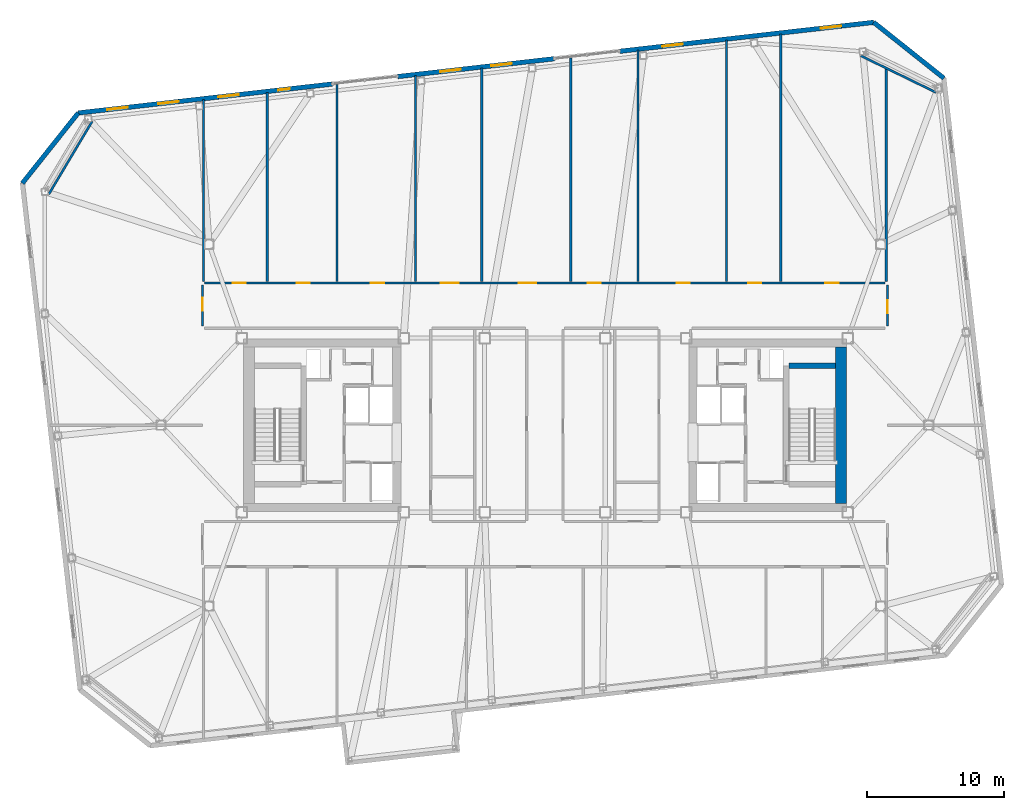
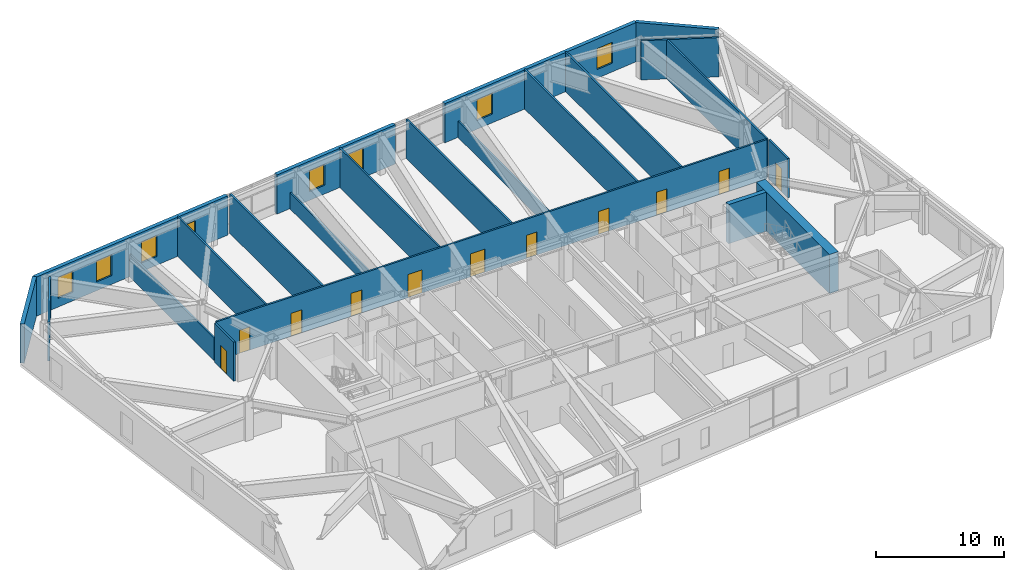
# One storey, part 14 of 18: 22 walls, 11 doors, 8 windows, 19 openings.
"""IFC4 building model written with IfcOpenShell, lengths in metres."""

import ifcopenshell
import ifcopenshell.guid

model = None  # the IFC model being written
_history = None  # IfcOwnerHistory: only IFC2X3 demands one
_inside = {}  # id of a spatial element -> (the spatial element, [elements in it])
_under = {}  # id of a project, library or spatial element -> (it, [spatial elements below it])
_declared = {}  # id of a project -> (the project, [libraries it declares])
_typed = {}  # id of a type object -> (the type object, [elements of that type])
_made_of = {}  # id of a material, layer set ... -> (it, [elements and type objects made of it])


def new_model(schema):
    """Start an empty IFC model of exactly this schema.

    Asked for "IFC4X3", IfcOpenShell would pick the latest addendum, in which some entities
    have other attributes; the version numbers below select the first issue.
    IFC2X3 requires an IfcOwnerHistory on every rooted entity: one is made here for all.
    """
    global model, _history
    if schema == "IFC4X3":
        model = ifcopenshell.file(schema_version=(4, 3, 0, 0))
    else:
        model = ifcopenshell.file(schema=schema)
    _inside.clear()
    _under.clear()
    _declared.clear()
    _typed.clear()
    _made_of.clear()
    _history = None
    if model.schema == "IFC2X3":
        org = make("IfcOrganization", Name="unknown")
        user = make(
            "IfcPersonAndOrganization",
            ThePerson=make("IfcPerson", FamilyName="unknown"),
            TheOrganization=org,
        )
        app = make(
            "IfcApplication",
            ApplicationDeveloper=org,
            Version="unknown",
            ApplicationFullName="unknown",
            ApplicationIdentifier="unknown",
        )
        _history = make(
            "IfcOwnerHistory",
            OwningUser=user,
            OwningApplication=app,
            ChangeAction="ADDED",
            CreationDate=0,
        )
    return model


def make(cls, **values):
    """One entity of the class cls with the attributes given. An attribute that is None is left unset."""
    return model.create_entity(
        cls, **{name: value for name, value in values.items() if value is not None}
    )


def rooted(cls, **values):
    """An entity with a GlobalId (a new one), such as an element, a storey or a relation."""
    return make(cls, GlobalId=ifcopenshell.guid.new(), OwnerHistory=_history, **values)


def si_unit(unit_type, name, prefix=None):
    """IfcSIUnit, for example si_unit("LENGTHUNIT", "METRE", prefix="MILLI")."""
    return make("IfcSIUnit", UnitType=unit_type, Prefix=prefix, Name=name)


def assignment(units):
    """IfcUnitAssignment: the units of a project."""
    return None if units is None else make("IfcUnitAssignment", Units=units)


def point(xyz):
    """IfcCartesianPoint."""
    return None if xyz is None else make("IfcCartesianPoint", Coordinates=xyz)


def direction(xyz):
    """IfcDirection."""
    return None if xyz is None else make("IfcDirection", DirectionRatios=xyz)


def frame(location, z_axis=None, x_axis=None):
    """IfcAxis2Placement3D, a coordinate frame: its origin and axes. An axis left out is left unset."""
    return make(
        "IfcAxis2Placement3D",
        Location=point(location),
        Axis=direction(z_axis),
        RefDirection=direction(x_axis),
    )


def frame_2d(location, x_axis=None):
    """IfcAxis2Placement2D, a coordinate frame in the plane: its origin and x axis."""
    return make(
        "IfcAxis2Placement2D", Location=point(location), RefDirection=direction(x_axis)
    )


def origin():
    """The frame at (0, 0, 0) with its axes left unset."""
    return frame((0.0, 0.0, 0.0))


def place(relative_to, where):
    """IfcLocalPlacement: puts the frame where relative to a parent placement (None: the world)."""
    return make(
        "IfcLocalPlacement", PlacementRelTo=relative_to, RelativePlacement=where
    )


def context(
    kind, dimensions, precision=None, world=None, true_north=None, identifier=None
):
    """IfcGeometricRepresentationContext, for example the 3D "Model" context."""
    return make(
        "IfcGeometricRepresentationContext",
        ContextIdentifier=identifier,
        ContextType=kind,
        CoordinateSpaceDimension=dimensions,
        Precision=precision,
        WorldCoordinateSystem=world,
        TrueNorth=true_north,
    )


def subcontext(parent, identifier, kind, view, scale=None):
    """IfcGeometricRepresentationSubContext, for example "Body" below "Model"."""
    return make(
        "IfcGeometricRepresentationSubContext",
        ContextIdentifier=identifier,
        ContextType=kind,
        ParentContext=parent,
        TargetScale=scale,
        TargetView=view,
    )


def project(units=None, contexts=None):
    """IfcProject with its units and contexts."""
    return rooted(
        "IfcProject",
        Name="project",
        RepresentationContexts=contexts,
        UnitsInContext=assignment(units),
    )


def spatial(cls, under=None, at=None, **own):
    """A site, building, storey or space (cls), placed at a placement, below another one or the project."""
    s = rooted(cls, ObjectPlacement=at, **own)
    if under is not None:
        _under.setdefault(under.id(), (under, []))[1].append(s)
    return s


def profile(cls, at=None, kind="AREA", **sizes):
    """A parametric profile (cls). Its sizes go by their IFC names, for example OverallWidth=200.0."""
    return make(cls, ProfileType=kind, Position=at, **sizes)


def rectangle(**sizes):
    """IfcRectangleProfileDef."""
    return profile("IfcRectangleProfileDef", **sizes)


def extrude(swept, where, along, depth):
    """IfcExtrudedAreaSolid: the profile swept, set in the frame where, extruded along a direction by depth."""
    return make(
        "IfcExtrudedAreaSolid",
        SweptArea=swept,
        Position=where,
        ExtrudedDirection=direction(along),
        Depth=depth,
    )


def shape(context_of_items, identifier, shape_type, items):
    """IfcShapeRepresentation: the items that make up one representation, for example the "Body"."""
    return make(
        "IfcShapeRepresentation",
        ContextOfItems=context_of_items,
        RepresentationIdentifier=identifier,
        RepresentationType=shape_type,
        Items=items,
    )


def material(Name=None, Category=None):
    """IfcMaterial."""
    return make("IfcMaterial", Name=Name, Category=Category)


def layer(
    of_material, thickness, ventilated=None, Name=None, Category=None, Priority=None
):
    """IfcMaterialLayer: one layer of a wall or slab, of a material (None: an air gap)."""
    return make(
        "IfcMaterialLayer",
        Material=of_material,
        LayerThickness=thickness,
        IsVentilated=ventilated,
        Name=Name,
        Category=Category,
        Priority=Priority,
    )


def layer_set(layers, Name=None):
    """IfcMaterialLayerSet."""
    return make("IfcMaterialLayerSet", MaterialLayers=layers, LayerSetName=Name)


def made_of(thing, what):
    """Note that an element or type object is made of a material, layer set ...; save() writes the relation."""
    if what is not None:
        _made_of.setdefault(what.id(), (what, []))[1].append(thing)
    return thing


def type_object(cls, material=None, **own):
    """A type object (cls), such as IfcWallType, which elements share."""
    return made_of(rooted(cls, **own), material)


def element(
    cls,
    number,
    at=None,
    inside=None,
    cuts=None,
    type_object=None,
    material=None,
    context=None,
    identifier="Body",
    shape_type=None,
    held_by="IfcProductDefinitionShape",
    body=None,
    shapes=None,
    **own,
):
    """One element of the class cls, such as IfcWall. Its Tag is "e" and its number.

    at: its placement. inside: the storey or other place that contains it. cuts: it is an
    opening in that element (IfcRelVoidsElement). A single representation is given by context,
    identifier, shape_type and body (its items); several are given by shapes. held_by: the class
    of the entity that holds the representations. save() writes the other relations.
    """
    e = rooted(cls, Tag="e%d" % number, ObjectPlacement=at, **own)
    if body is not None:
        shapes = [shape(context, identifier, shape_type, body)]
    if shapes is not None:
        e.Representation = make(held_by, Representations=shapes)
    if inside is not None:
        _inside.setdefault(inside.id(), (inside, []))[1].append(e)
    if cuts is not None:
        rooted(
            "IfcRelVoidsElement", RelatingBuildingElement=cuts, RelatedOpeningElement=e
        )
    if type_object is not None:
        _typed.setdefault(type_object.id(), (type_object, []))[1].append(e)
    return made_of(e, material)


def fill(opening, filler):
    """IfcRelFillsElement: the door or window that sits in an opening."""
    return rooted(
        "IfcRelFillsElement",
        RelatingOpeningElement=opening,
        RelatedBuildingElement=filler,
    )


def aggregate(whole, parts):
    """IfcRelAggregates: a whole, such as a stair, and the parts it consists of."""
    return rooted("IfcRelAggregates", RelatingObject=whole, RelatedObjects=parts)


def save(model, path):
    """Write the relations noted so far, then the file.

    IfcRelAggregates (storeys below a building ...), IfcRelContainedInSpatialStructure (elements
    in a storey), IfcRelDefinesByType, IfcRelAssociatesMaterial and IfcRelDeclares: one each for
    every whole, place, type object, material and project.
    """
    for whole, parts in _under.values():
        aggregate(whole, parts)
    for where, things in _inside.values():
        rooted(
            "IfcRelContainedInSpatialStructure",
            RelatedElements=things,
            RelatingStructure=where,
        )
    for kind, things in _typed.values():
        rooted("IfcRelDefinesByType", RelatedObjects=things, RelatingType=kind)
    for what, things in _made_of.values():
        rooted("IfcRelAssociatesMaterial", RelatedObjects=things, RelatingMaterial=what)
    for by, libraries in _declared.values():
        rooted("IfcRelDeclares", RelatingContext=by, RelatedDefinitions=libraries)
    model.write(path)


model = new_model("IFC4")

# Units and contexts
model_context = context("Model", 3, precision=1e-05, world=origin(), true_north=direction((0.0, 1.0)))
body_context = subcontext(model_context, "Body", "Model", "MODEL_VIEW")
ifc_project = project(units=[si_unit("LENGTHUNIT", "METRE"), si_unit("AREAUNIT", "SQUARE_METRE"), si_unit("VOLUMEUNIT", "CUBIC_METRE"), si_unit("PLANEANGLEUNIT", "RADIAN"), si_unit("MASSUNIT", "GRAM", prefix="KILO")], contexts=[model_context])

# Site, building, storey
site_placement = place(None, origin())
site = spatial("IfcSite", under=ifc_project, at=site_placement, CompositionType="ELEMENT")
building_placement = place(site_placement, origin())
building = spatial("IfcBuilding", under=site, at=building_placement, Name="Tavrogorsk Clinical Tower", CompositionType="ELEMENT")
storey_placement = place(building_placement, frame((0.0, 0.0, 222.199951171875)))
storey = spatial("IfcBuildingStorey", under=building, at=storey_placement, Name="L51", CompositionType="ELEMENT", Elevation=222.199951171875)

# Walls
ifc_material_1 = material(Name="Lightweight concrete blockwork B15", Category="masonry")
ifc_layer_1 = layer(ifc_material_1, 0.159912109375)
ifc_layer_set_1 = layer_set([ifc_layer_1], Name="Lightweight concrete blockwork B15")
wall_type_1 = type_object("IfcWallType", Name="PartitionWall_160", PredefinedType="PARTITIONING", material=ifc_layer_set_1)
wall_1_placement = place(storey_placement, frame((28.5283203125, 24.27099609375, 0.0), z_axis=(0.0, 0.0, 1.0), x_axis=(-0.898820692789, 0.438316509173, 0.0)))
element("IfcWall", 1, at=wall_1_placement, inside=storey, type_object=wall_type_1, Name="L51 Corner Exoskeleton Brace Furring Wall 2", PredefinedType="PARTITIONING", context=body_context, shape_type="SweptSolid", body=[
    extrude(rectangle(XDim=6.10693359375, YDim=0.159912109375, at=frame_2d((3.053466796875, 0.0))), origin(), (0.0, 0.0, 1.0), 3.739990234375),
])
wall_2_placement = place(storey_placement, frame((-33.016357421875, 22.17138671875, 0.0), z_axis=(0.0, 0.0, 1.0), x_axis=(-0.511385266265, -0.859351563359, 0.0)))
element("IfcWall", 2, at=wall_2_placement, inside=storey, type_object=wall_type_1, Name="L51 Corner Exoskeleton Brace Furring Wall 3", PredefinedType="PARTITIONING", context=body_context, shape_type="SweptSolid", body=[
    extrude(rectangle(XDim=6.181884765625, YDim=0.159912109375, at=frame_2d((3.0908203125, 0.0))), origin(), (0.0, 0.0, 1.0), 3.739990234375),
])

# Wall, opening, door
wall_3_placement = place(storey_placement, frame((-24.97998046875, 7.235107421875, 0.0), z_axis=(0.0, 0.0, 1.0), x_axis=(0.0, 1.0, 0.0)))
wall_3 = element("IfcWall", 3, at=wall_3_placement, inside=storey, type_object=wall_type_1, Name="L51 Corridor Partition 06", PredefinedType="PARTITIONING", context=body_context, shape_type="SweptSolid", body=[
    extrude(rectangle(XDim=2.97998046875, YDim=0.159912109375, at=frame_2d((1.489990234375, 0.0))), origin(), (0.0, 0.0, 1.0), 3.739990234375),
])
opening_1_placement = place(wall_3_placement, frame((1.10009765625, 0.0, 0.0)))
opening_1 = element("IfcOpeningElement", 4, at=opening_1_placement, cuts=wall_3, Name="Opening ID-02", PredefinedType="OPENING", context=body_context, shape_type="SweptSolid", body=[
    extrude(rectangle(XDim=0.949951171875, YDim=2.199951171875, at=frame_2d((0.47509765625, 1.10009765625))), frame((0.0, 0.08984375, 0.0), z_axis=(0.0, -1.0, 0.0), x_axis=(1.0, 0.0, 0.0)), (0.0, 0.0, 1.0), 0.179931640625),
])
ifc_material_2 = material(Name="Laminated timber leaf on aluminium frame", Category="wood")
door_type_1 = type_object("IfcDoorType", Name="InteriorDoor_ID02_950", OperationType="NOTDEFINED", PredefinedType="DOOR", material=ifc_material_2)
door_1_placement = place(opening_1_placement, origin())
door_1 = element("IfcDoor", 5, at=door_1_placement, inside=storey, type_object=door_type_1, Name="L51 W Rehabilitation Therapy Suite 2 Door", OperationType="SINGLE_SWING_RIGHT", OverallHeight=2.199951171875, OverallWidth=0.949951171875, PredefinedType="DOOR", context=body_context, shape_type="SweptSolid", body=[
    extrude(rectangle(XDim=0.949951171875, YDim=2.199951171875, at=frame_2d((0.47509765625, 1.10009765625))), frame((0.0, 0.02490234375, 0.0), z_axis=(0.0, -1.0, 0.0), x_axis=(1.0, 0.0, 0.0)), (0.0, 0.0, 1.0), 0.050048828125),
])
fill(opening_1, door_1)

# Wall, openings, doors
wall_4_placement = place(storey_placement, frame((-24.81494140625, 10.3798828125, 0.0), z_axis=(0.0, 0.0, 1.0), x_axis=(1.0, 0.0, 0.0)))
wall_4 = element("IfcWall", 6, at=wall_4_placement, inside=storey, type_object=wall_type_1, Name="L51 Corridor Partition 07", PredefinedType="PARTITIONING", context=body_context, shape_type="SweptSolid", body=[
    extrude(rectangle(XDim=49.6298828125, YDim=0.159912109375, at=frame_2d((24.81494140625, 0.0))), origin(), (0.0, 0.0, 1.0), 3.739990234375),
])
opening_2_placement = place(wall_4_placement, frame((2.044189453125, 0.0, 0.0)))
opening_2 = element("IfcOpeningElement", 7, at=opening_2_placement, cuts=wall_4, Name="Opening ID-02", PredefinedType="OPENING", context=body_context, shape_type="SweptSolid", body=[
    extrude(rectangle(XDim=0.949951171875, YDim=2.199951171875, at=frame_2d((0.47509765625, 1.10009765625))), frame((0.0, 0.08984375, 0.0), z_axis=(0.0, -1.0, 0.0), x_axis=(1.0, 0.0, 0.0)), (0.0, 0.0, 1.0), 0.179931640625),
])
opening_3_placement = place(wall_4_placement, frame((6.719970703125, 0.0, 0.0)))
opening_3 = element("IfcOpeningElement", 8, at=opening_3_placement, cuts=wall_4, Name="Opening ID-02", PredefinedType="OPENING", context=body_context, shape_type="SweptSolid", body=[
    extrude(rectangle(XDim=0.949951171875, YDim=2.199951171875, at=frame_2d((0.47509765625, 1.10009765625))), frame((0.0, 0.08984375, 0.0), z_axis=(0.0, -1.0, 0.0), x_axis=(1.0, 0.0, 0.0)), (0.0, 0.0, 1.0), 0.179931640625),
])
opening_4_placement = place(wall_4_placement, frame((12.1298828125, 0.0, 0.0)))
opening_4 = element("IfcOpeningElement", 9, at=opening_4_placement, cuts=wall_4, Name="Opening ID-02", PredefinedType="OPENING", context=body_context, shape_type="SweptSolid", body=[
    extrude(rectangle(XDim=0.949951171875, YDim=2.199951171875, at=frame_2d((0.47509765625, 1.10009765625))), frame((0.0, 0.08984375, 0.0), z_axis=(0.0, -1.0, 0.0), x_axis=(1.0, 0.0, 0.0)), (0.0, 0.0, 1.0), 0.179931640625),
])
opening_5_placement = place(wall_4_placement, frame((17.235107421875, 0.0, 0.0)))
opening_5 = element("IfcOpeningElement", 10, at=opening_5_placement, cuts=wall_4, Name="Opening ID-01", PredefinedType="OPENING", context=body_context, shape_type="SweptSolid", body=[
    extrude(rectangle(XDim=1.300048828125, YDim=2.199951171875, at=frame_2d((0.64990234375, 1.10009765625))), frame((0.0, 0.08984375, 0.0), z_axis=(0.0, -1.0, 0.0), x_axis=(1.0, 0.0, 0.0)), (0.0, 0.0, 1.0), 0.179931640625),
])
opening_6_placement = place(wall_4_placement, frame((22.889892578125, 0.0, 0.0)))
opening_6 = element("IfcOpeningElement", 11, at=opening_6_placement, cuts=wall_4, Name="Opening ID-01", PredefinedType="OPENING", context=body_context, shape_type="SweptSolid", body=[
    extrude(rectangle(XDim=1.300048828125, YDim=2.199951171875, at=frame_2d((0.64990234375, 1.10009765625))), frame((0.0, 0.08984375, 0.0), z_axis=(0.0, -1.0, 0.0), x_axis=(1.0, 0.0, 0.0)), (0.0, 0.0, 1.0), 0.179931640625),
])
opening_7_placement = place(wall_4_placement, frame((27.925048828125, 0.0, 0.0)))
opening_7 = element("IfcOpeningElement", 12, at=opening_7_placement, cuts=wall_4, Name="Opening ID-02", PredefinedType="OPENING", context=body_context, shape_type="SweptSolid", body=[
    extrude(rectangle(XDim=0.949951171875, YDim=2.199951171875, at=frame_2d((0.47509765625, 1.10009765625))), frame((0.0, 0.08984375, 0.0), z_axis=(0.0, -1.0, 0.0), x_axis=(1.0, 0.0, 0.0)), (0.0, 0.0, 1.0), 0.179931640625),
])
opening_8_placement = place(wall_4_placement, frame((34.445068359375, 0.0, 0.0)))
opening_8 = element("IfcOpeningElement", 13, at=opening_8_placement, cuts=wall_4, Name="Opening ID-02", PredefinedType="OPENING", context=body_context, shape_type="SweptSolid", body=[
    extrude(rectangle(XDim=0.949951171875, YDim=2.199951171875, at=frame_2d((0.47509765625, 1.10009765625))), frame((0.0, 0.08984375, 0.0), z_axis=(0.0, -1.0, 0.0), x_axis=(1.0, 0.0, 0.0)), (0.0, 0.0, 1.0), 0.179931640625),
])
opening_9_placement = place(wall_4_placement, frame((39.64501953125, 0.0, 0.0)))
opening_9 = element("IfcOpeningElement", 14, at=opening_9_placement, cuts=wall_4, Name="Opening ID-02", PredefinedType="OPENING", context=body_context, shape_type="SweptSolid", body=[
    extrude(rectangle(XDim=0.949951171875, YDim=2.199951171875, at=frame_2d((0.47509765625, 1.10009765625))), frame((0.0, 0.08984375, 0.0), z_axis=(0.0, -1.0, 0.0), x_axis=(1.0, 0.0, 0.0)), (0.0, 0.0, 1.0), 0.179931640625),
])
opening_10_placement = place(wall_4_placement, frame((45.281005859375, 0.0, 0.0)))
opening_10 = element("IfcOpeningElement", 15, at=opening_10_placement, cuts=wall_4, Name="Opening ID-02", PredefinedType="OPENING", context=body_context, shape_type="SweptSolid", body=[
    extrude(rectangle(XDim=0.949951171875, YDim=2.199951171875, at=frame_2d((0.47509765625, 1.10009765625))), frame((0.0, 0.08984375, 0.0), z_axis=(0.0, -1.0, 0.0), x_axis=(1.0, 0.0, 0.0)), (0.0, 0.0, 1.0), 0.179931640625),
])
door_2_placement = place(opening_2_placement, origin())
door_2 = element("IfcDoor", 16, at=door_2_placement, inside=storey, type_object=door_type_1, Name="L51 North Clinical Examination Suite 01 Door", OperationType="SINGLE_SWING_LEFT", OverallHeight=2.199951171875, OverallWidth=0.949951171875, PredefinedType="DOOR", context=body_context, shape_type="SweptSolid", body=[
    extrude(rectangle(XDim=0.949951171875, YDim=2.199951171875, at=frame_2d((0.47509765625, 1.10009765625))), frame((0.0, 0.02490234375, 0.0), z_axis=(0.0, -1.0, 0.0), x_axis=(1.0, 0.0, 0.0)), (0.0, 0.0, 1.0), 0.050048828125),
])
fill(opening_2, door_2)
door_3_placement = place(opening_3_placement, origin())
door_3 = element("IfcDoor", 17, at=door_3_placement, inside=storey, type_object=door_type_1, Name="L51 North Diagnostic Ultrasound Suite 02 Door", OperationType="SINGLE_SWING_RIGHT", OverallHeight=2.199951171875, OverallWidth=0.949951171875, PredefinedType="DOOR", context=body_context, shape_type="SweptSolid", body=[
    extrude(rectangle(XDim=0.949951171875, YDim=2.199951171875, at=frame_2d((0.47509765625, 1.10009765625))), frame((0.0, 0.02490234375, 0.0), z_axis=(0.0, -1.0, 0.0), x_axis=(1.0, 0.0, 0.0)), (0.0, 0.0, 1.0), 0.050048828125),
])
fill(opening_3, door_3)
door_4_placement = place(opening_4_placement, origin())
door_4 = element("IfcDoor", 18, at=door_4_placement, inside=storey, type_object=door_type_1, Name="L51 North Physiotherapy Rehab Studio 03A Door", OperationType="SINGLE_SWING_LEFT", OverallHeight=2.199951171875, OverallWidth=0.949951171875, PredefinedType="DOOR", context=body_context, shape_type="SweptSolid", body=[
    extrude(rectangle(XDim=0.949951171875, YDim=2.199951171875, at=frame_2d((0.47509765625, 1.10009765625))), frame((0.0, 0.02490234375, 0.0), z_axis=(0.0, -1.0, 0.0), x_axis=(1.0, 0.0, 0.0)), (0.0, 0.0, 1.0), 0.050048828125),
])
fill(opening_4, door_4)
door_5_placement = place(opening_7_placement, origin())
door_5 = element("IfcDoor", 19, at=door_5_placement, inside=storey, type_object=door_type_1, Name="L51 North Clinical Examination Suite 04B Door", OperationType="SINGLE_SWING_RIGHT", OverallHeight=2.199951171875, OverallWidth=0.949951171875, PredefinedType="DOOR", context=body_context, shape_type="SweptSolid", body=[
    extrude(rectangle(XDim=0.949951171875, YDim=2.199951171875, at=frame_2d((0.47509765625, 1.10009765625))), frame((0.0, 0.02490234375, 0.0), z_axis=(0.0, -1.0, 0.0), x_axis=(1.0, 0.0, 0.0)), (0.0, 0.0, 1.0), 0.050048828125),
])
fill(opening_7, door_5)
door_6_placement = place(opening_8_placement, origin())
door_6 = element("IfcDoor", 20, at=door_6_placement, inside=storey, type_object=door_type_1, Name="L51 North Physician Consultation Office 05A Door", OperationType="SINGLE_SWING_LEFT", OverallHeight=2.199951171875, OverallWidth=0.949951171875, PredefinedType="DOOR", context=body_context, shape_type="SweptSolid", body=[
    extrude(rectangle(XDim=0.949951171875, YDim=2.199951171875, at=frame_2d((0.47509765625, 1.10009765625))), frame((0.0, 0.02490234375, 0.0), z_axis=(0.0, -1.0, 0.0), x_axis=(1.0, 0.0, 0.0)), (0.0, 0.0, 1.0), 0.050048828125),
])
fill(opening_8, door_6)
door_7_placement = place(opening_9_placement, origin())
door_7 = element("IfcDoor", 21, at=door_7_placement, inside=storey, type_object=door_type_1, Name="L51 North Diagnostic Ultrasound Suite 05B Door", OperationType="SINGLE_SWING_RIGHT", OverallHeight=2.199951171875, OverallWidth=0.949951171875, PredefinedType="DOOR", context=body_context, shape_type="SweptSolid", body=[
    extrude(rectangle(XDim=0.949951171875, YDim=2.199951171875, at=frame_2d((0.47509765625, 1.10009765625))), frame((0.0, 0.02490234375, 0.0), z_axis=(0.0, -1.0, 0.0), x_axis=(1.0, 0.0, 0.0)), (0.0, 0.0, 1.0), 0.050048828125),
])
fill(opening_9, door_7)
door_8_placement = place(opening_10_placement, origin())
door_8 = element("IfcDoor", 22, at=door_8_placement, inside=storey, type_object=door_type_1, Name="L51 North Patient & Family Quiet Lounge 06 Door", OperationType="SINGLE_SWING_LEFT", OverallHeight=2.199951171875, OverallWidth=0.949951171875, PredefinedType="DOOR", context=body_context, shape_type="SweptSolid", body=[
    extrude(rectangle(XDim=0.949951171875, YDim=2.199951171875, at=frame_2d((0.47509765625, 1.10009765625))), frame((0.0, 0.02490234375, 0.0), z_axis=(0.0, -1.0, 0.0), x_axis=(1.0, 0.0, 0.0)), (0.0, 0.0, 1.0), 0.050048828125),
])
fill(opening_10, door_8)
ifc_material_3 = material(Name="Antibacterial HPL medical leaf on aluminium frame", Category="aluminium")
door_type_2 = type_object("IfcDoorType", Name="WardBedDoor_ID01_1300", OperationType="NOTDEFINED", PredefinedType="DOOR", material=ifc_material_3)
door_9_placement = place(opening_5_placement, origin())
door_9 = element("IfcDoor", 23, at=door_9_placement, inside=storey, type_object=door_type_2, Name="L51 North Inpatient Clinical Ward 03B Door", OperationType="SINGLE_SWING_RIGHT", OverallHeight=2.199951171875, OverallWidth=1.300048828125, PredefinedType="DOOR", context=body_context, shape_type="SweptSolid", body=[
    extrude(rectangle(XDim=1.300048828125, YDim=2.199951171875, at=frame_2d((0.64990234375, 1.10009765625))), frame((0.0, 0.02490234375, 0.0), z_axis=(0.0, -1.0, 0.0), x_axis=(1.0, 0.0, 0.0)), (0.0, 0.0, 1.0), 0.050048828125),
])
fill(opening_5, door_9)
door_10_placement = place(opening_6_placement, origin())
door_10 = element("IfcDoor", 24, at=door_10_placement, inside=storey, type_object=door_type_2, Name="L51 North Step-Down Telemetry Ward 04A Door", OperationType="SINGLE_SWING_LEFT", OverallHeight=2.199951171875, OverallWidth=1.300048828125, PredefinedType="DOOR", context=body_context, shape_type="SweptSolid", body=[
    extrude(rectangle(XDim=1.300048828125, YDim=2.199951171875, at=frame_2d((0.64990234375, 1.10009765625))), frame((0.0, 0.02490234375, 0.0), z_axis=(0.0, -1.0, 0.0), x_axis=(1.0, 0.0, 0.0)), (0.0, 0.0, 1.0), 0.050048828125),
])
fill(opening_6, door_10)

# Wall, opening, door
wall_5_placement = place(storey_placement, frame((24.97998046875, 10.215087890625, 0.0), z_axis=(0.0, 0.0, 1.0), x_axis=(0.0, -1.0, 0.0)))
wall_5 = element("IfcWall", 25, at=wall_5_placement, inside=storey, type_object=wall_type_1, Name="L51 Corridor Partition 08", PredefinedType="PARTITIONING", context=body_context, shape_type="SweptSolid", body=[
    extrude(rectangle(XDim=2.97998046875, YDim=0.159912109375, at=frame_2d((1.489990234375, 0.0))), origin(), (0.0, 0.0, 1.0), 3.739990234375),
])
opening_11_placement = place(wall_5_placement, frame((1.10009765625, 0.0, 0.0)))
opening_11 = element("IfcOpeningElement", 26, at=opening_11_placement, cuts=wall_5, Name="Opening ID-02", PredefinedType="OPENING", context=body_context, shape_type="SweptSolid", body=[
    extrude(rectangle(XDim=0.949951171875, YDim=2.199951171875, at=frame_2d((0.47509765625, 1.10009765625))), frame((0.0, 0.08984375, 0.0), z_axis=(0.0, -1.0, 0.0), x_axis=(1.0, 0.0, 0.0)), (0.0, 0.0, 1.0), 0.179931640625),
])
door_11_placement = place(opening_11_placement, origin())
door_11 = element("IfcDoor", 27, at=door_11_placement, inside=storey, type_object=door_type_1, Name="L51 E Multidisciplinary Seminar Suite 2 Door", OperationType="SINGLE_SWING_RIGHT", OverallHeight=2.199951171875, OverallWidth=0.949951171875, PredefinedType="DOOR", context=body_context, shape_type="SweptSolid", body=[
    extrude(rectangle(XDim=0.949951171875, YDim=2.199951171875, at=frame_2d((0.47509765625, 1.10009765625))), frame((0.0, 0.02490234375, 0.0), z_axis=(0.0, -1.0, 0.0), x_axis=(1.0, 0.0, 0.0)), (0.0, 0.0, 1.0), 0.050048828125),
])
fill(opening_11, door_11)

# Walls
wall_6_placement = place(storey_placement, frame((-24.89990234375, 10.465087890625, 0.0), z_axis=(0.0, 0.0, 1.0), x_axis=(0.0, 1.0, 0.0)))
element("IfcWall", 28, at=wall_6_placement, inside=storey, type_object=wall_type_1, Name="L51 NW Wing Closure Partition", PredefinedType="PARTITIONING", context=body_context, shape_type="SweptSolid", body=[
    extrude(rectangle(XDim=13.28125, YDim=0.159912109375, at=frame_2d((6.640625, 0.0))), origin(), (0.0, 0.0, 1.0), 2.135009765625),
])
wall_7_placement = place(storey_placement, frame((24.89990234375, 10.465087890625, 0.0), z_axis=(0.0, 0.0, 1.0), x_axis=(0.0, 1.0, 0.0)))
element("IfcWall", 29, at=wall_7_placement, inside=storey, type_object=wall_type_1, Name="L51 NE Wing Closure Partition", PredefinedType="PARTITIONING", context=body_context, shape_type="SweptSolid", body=[
    extrude(rectangle(XDim=15.579345703125, YDim=0.159912109375, at=frame_2d((7.78955078125, 0.0))), origin(), (0.0, 0.0, 1.0), 3.739990234375),
])
wall_8_placement = place(storey_placement, frame((-20.25, 10.465087890625, 0.0), z_axis=(0.0, 0.0, 1.0), x_axis=(0.0, 1.0, 0.0)))
element("IfcWall", 30, at=wall_8_placement, inside=storey, type_object=wall_type_1, Name="L51 North Room Partition 1", PredefinedType="PARTITIONING", context=body_context, shape_type="SweptSolid", body=[
    extrude(rectangle(XDim=13.81103515625, YDim=0.159912109375, at=frame_2d((6.905517578125, 0.0))), origin(), (0.0, 0.0, 1.0), 3.739990234375),
])
wall_9_placement = place(storey_placement, frame((-15.159912109375, 10.465087890625, 0.0), z_axis=(0.0, 0.0, 1.0), x_axis=(0.0, 1.0, 0.0)))
element("IfcWall", 31, at=wall_9_placement, inside=storey, type_object=wall_type_1, Name="L51 North Room Partition 2", PredefinedType="PARTITIONING", context=body_context, shape_type="SweptSolid", body=[
    extrude(rectangle(XDim=14.390869140625, YDim=0.159912109375, at=frame_2d((7.1953125, 0.0))), origin(), (0.0, 0.0, 1.0), 3.739990234375),
])
wall_10_placement = place(storey_placement, frame((-4.60009765625, 10.465087890625, 0.0), z_axis=(0.0, 0.0, 1.0), x_axis=(0.0, 1.0, 0.0)))
element("IfcWall", 32, at=wall_10_placement, inside=storey, type_object=wall_type_1, Name="L51 North Room Partition 3", PredefinedType="PARTITIONING", context=body_context, shape_type="SweptSolid", body=[
    extrude(rectangle(XDim=15.593994140625, YDim=0.159912109375, at=frame_2d((7.796875, 0.0))), origin(), (0.0, 0.0, 1.0), 3.739990234375),
])
wall_11_placement = place(storey_placement, frame((6.800048828125, 10.465087890625, 0.0), z_axis=(0.0, 0.0, 1.0), x_axis=(0.0, 1.0, 0.0)))
element("IfcWall", 33, at=wall_11_placement, inside=storey, type_object=wall_type_1, Name="L51 North Room Partition 4", PredefinedType="PARTITIONING", context=body_context, shape_type="SweptSolid", body=[
    extrude(rectangle(XDim=16.892822265625, YDim=0.159912109375, at=frame_2d((8.4462890625, 0.0))), origin(), (0.0, 0.0, 1.0), 1.53515625),
])
wall_12_placement = place(storey_placement, frame((17.199951171875, 10.465087890625, 0.0), z_axis=(0.0, 0.0, 1.0), x_axis=(0.0, 1.0, 0.0)))
element("IfcWall", 34, at=wall_12_placement, inside=storey, type_object=wall_type_1, Name="L51 North Room Partition 5", PredefinedType="PARTITIONING", context=body_context, shape_type="SweptSolid", body=[
    extrude(rectangle(XDim=18.077880859375, YDim=0.159912109375, at=frame_2d((9.0390625, 0.0))), origin(), (0.0, 0.0, 1.0), 3.739990234375),
])
wall_13_placement = place(storey_placement, frame((-9.429931640625, 10.465087890625, 0.0), z_axis=(0.0, 0.0, 1.0), x_axis=(0.0, 1.0, 0.0)))
element("IfcWall", 35, at=wall_13_placement, inside=storey, type_object=wall_type_1, Name="L51 North Sub-Partition 3", PredefinedType="PARTITIONING", context=body_context, shape_type="SweptSolid", body=[
    extrude(rectangle(XDim=15.043701171875, YDim=0.159912109375, at=frame_2d((7.52197265625, 0.0))), origin(), (0.0, 0.0, 1.0), 1.53515625),
])
wall_14_placement = place(storey_placement, frame((1.8798828125, 10.465087890625, 0.0), z_axis=(0.0, 0.0, 1.0), x_axis=(0.0, 1.0, 0.0)))
element("IfcWall", 36, at=wall_14_placement, inside=storey, type_object=wall_type_1, Name="L51 North Sub-Partition 4", PredefinedType="PARTITIONING", context=body_context, shape_type="SweptSolid", body=[
    extrude(rectangle(XDim=16.33251953125, YDim=0.159912109375, at=frame_2d((8.166259765625, 0.0))), origin(), (0.0, 0.0, 1.0), 3.739990234375),
])
wall_15_placement = place(storey_placement, frame((13.239990234375, 10.465087890625, 0.0), z_axis=(0.0, 0.0, 1.0), x_axis=(0.0, 1.0, 0.0)))
element("IfcWall", 37, at=wall_15_placement, inside=storey, type_object=wall_type_1, Name="L51 North Sub-Partition 5", PredefinedType="PARTITIONING", context=body_context, shape_type="SweptSolid", body=[
    extrude(rectangle(XDim=17.626708984375, YDim=0.159912109375, at=frame_2d((8.8134765625, 0.0))), origin(), (0.0, 0.0, 1.0), 3.739990234375),
])

# Wall, openings, windows
ifc_material_4 = material(Name="Precast concrete B45 with limestone cladding", Category="masonry")
ifc_layer_2 = layer(ifc_material_4, 0.340087890625)
ifc_layer_set_2 = layer_set([ifc_layer_2], Name="Precast concrete B45 with limestone cladding")
wall_type_2 = type_object("IfcWallType", Name="PrecastLimestoneWall_340", PredefinedType="STANDARD", material=ifc_layer_set_2)
wall_16_placement = place(storey_placement, frame((23.982666015625, 29.38623046875, 0.0), z_axis=(0.0, 0.0, 1.0), x_axis=(-0.993572271362, -0.113199565282, 0.0)))
wall_16 = element("IfcWall", 38, at=wall_16_placement, inside=storey, type_object=wall_type_2, Name="L51 N Limestone Facade Wall 1", PredefinedType="STANDARD", context=body_context, shape_type="SweptSolid", body=[
    extrude(rectangle(XDim=18.6513671875, YDim=0.340087890625, at=frame_2d((9.32568359375, 0.0))), origin(), (0.0, 0.0, 1.0), 3.739990234375),
])
opening_12_placement = place(wall_16_placement, frame((14.027099609375, 0.0, 0.830078125)))
opening_12 = element("IfcOpeningElement", 39, at=opening_12_placement, cuts=wall_16, Name="Opening WN-05", PredefinedType="OPENING", context=body_context, shape_type="SweptSolid", body=[
    extrude(rectangle(XDim=1.5, YDim=2.0, at=frame_2d((0.75, 1.0))), frame((0.0, 0.179931640625, 0.0), z_axis=(0.0, -1.0, 0.0), x_axis=(1.0, 0.0, 0.0)), (0.0, 0.0, 1.0), 0.360107421875),
])
opening_13_placement = place(wall_16_placement, frame((2.385986328125, 0.0, 0.830078125)))
opening_13 = element("IfcOpeningElement", 40, at=opening_13_placement, cuts=wall_16, Name="Opening WN-05", PredefinedType="OPENING", context=body_context, shape_type="SweptSolid", body=[
    extrude(rectangle(XDim=1.5, YDim=2.0, at=frame_2d((0.75, 1.0))), frame((0.0, 0.179931640625, 0.0), z_axis=(0.0, -1.0, 0.0), x_axis=(1.0, 0.0, 0.0)), (0.0, 0.0, 1.0), 0.360107421875),
])
ifc_material_5 = material(Name="Thermally broken aluminium frame and triple IGU", Category="aluminium")
window_type_1 = type_object("IfcWindowType", Name="ConsultWin_1500x2000", PartitioningType="SINGLE_PANEL", PredefinedType="WINDOW", material=ifc_material_5)
window_1_placement = place(opening_12_placement, origin())
window_1 = element("IfcWindow", 41, at=window_1_placement, inside=storey, type_object=window_type_1, Name="L51 N Chicago Window 07", OverallHeight=2.0, OverallWidth=1.5, PartitioningType="SINGLE_PANEL", PredefinedType="WINDOW", context=body_context, shape_type="SweptSolid", body=[
    extrude(rectangle(XDim=1.5, YDim=2.0, at=frame_2d((0.75, 1.0))), frame((0.0, 0.030029296875, 0.0), z_axis=(0.0, -1.0, 0.0), x_axis=(1.0, 0.0, 0.0)), (0.0, 0.0, 1.0), 0.06005859375),
])
fill(opening_12, window_1)
window_2_placement = place(opening_13_placement, origin())
window_2 = element("IfcWindow", 42, at=window_2_placement, inside=storey, type_object=window_type_1, Name="L51 N Chicago Window 10", OverallHeight=2.0, OverallWidth=1.5, PartitioningType="SINGLE_PANEL", PredefinedType="WINDOW", context=body_context, shape_type="SweptSolid", body=[
    extrude(rectangle(XDim=1.5, YDim=2.0, at=frame_2d((0.75, 1.0))), frame((0.0, 0.030029296875, 0.0), z_axis=(0.0, -1.0, 0.0), x_axis=(1.0, 0.0, 0.0)), (0.0, 0.0, 1.0), 0.06005859375),
])
fill(opening_13, window_2)

wall_17_placement = place(storey_placement, frame((0.681884765625, 26.7314453125, 0.0), z_axis=(0.0, 0.0, 1.0), x_axis=(-0.993571968199, -0.113202226169, 0.0)))
wall_17 = element("IfcWall", 43, at=wall_17_placement, inside=storey, type_object=wall_type_2, Name="L51 N Limestone Facade Wall 2", PredefinedType="STANDARD", context=body_context, shape_type="SweptSolid", body=[
    extrude(rectangle(XDim=11.497314453125, YDim=0.340087890625, at=frame_2d((5.74853515625, 0.0))), origin(), (0.0, 0.0, 1.0), 3.739990234375),
])
opening_14_placement = place(wall_17_placement, frame((6.872802734375, 0.0, 0.830078125)))
opening_14 = element("IfcOpeningElement", 44, at=opening_14_placement, cuts=wall_17, Name="Opening WN-05", PredefinedType="OPENING", context=body_context, shape_type="SweptSolid", body=[
    extrude(rectangle(XDim=1.5, YDim=2.0, at=frame_2d((0.75, 1.0))), frame((0.0, 0.179931640625, 0.0), z_axis=(0.0, -1.0, 0.0), x_axis=(1.0, 0.0, 0.0)), (0.0, 0.0, 1.0), 0.360107421875),
])
opening_15_placement = place(wall_17_placement, frame((3.12451171875, 0.0, 0.830078125)))
opening_15 = element("IfcOpeningElement", 45, at=opening_15_placement, cuts=wall_17, Name="Opening WN-05", PredefinedType="OPENING", context=body_context, shape_type="SweptSolid", body=[
    extrude(rectangle(XDim=1.5, YDim=2.0, at=frame_2d((0.75, 1.0))), frame((0.0, 0.179931640625, 0.0), z_axis=(0.0, -1.0, 0.0), x_axis=(1.0, 0.0, 0.0)), (0.0, 0.0, 1.0), 0.360107421875),
])
window_3_placement = place(opening_14_placement, origin())
window_3 = element("IfcWindow", 46, at=window_3_placement, inside=storey, type_object=window_type_1, Name="L51 N Chicago Window 05", OverallHeight=2.0, OverallWidth=1.5, PartitioningType="SINGLE_PANEL", PredefinedType="WINDOW", context=body_context, shape_type="SweptSolid", body=[
    extrude(rectangle(XDim=1.5, YDim=2.0, at=frame_2d((0.75, 1.0))), frame((0.0, 0.030029296875, 0.0), z_axis=(0.0, -1.0, 0.0), x_axis=(1.0, 0.0, 0.0)), (0.0, 0.0, 1.0), 0.06005859375),
])
fill(opening_14, window_3)
window_4_placement = place(opening_15_placement, origin())
window_4 = element("IfcWindow", 47, at=window_4_placement, inside=storey, type_object=window_type_1, Name="L51 N Chicago Window 06", OverallHeight=2.0, OverallWidth=1.5, PartitioningType="SINGLE_PANEL", PredefinedType="WINDOW", context=body_context, shape_type="SweptSolid", body=[
    extrude(rectangle(XDim=1.5, YDim=2.0, at=frame_2d((0.75, 1.0))), frame((0.0, 0.030029296875, 0.0), z_axis=(0.0, -1.0, 0.0), x_axis=(1.0, 0.0, 0.0)), (0.0, 0.0, 1.0), 0.06005859375),
])
fill(opening_15, window_4)

wall_18_placement = place(storey_placement, frame((-15.510498046875, 24.886474609375, 0.0), z_axis=(0.0, 0.0, 1.0), x_axis=(-0.993572271362, -0.113199565282, 0.0)))
wall_18 = element("IfcWall", 48, at=wall_18_placement, inside=storey, type_object=wall_type_2, Name="L51 N Limestone Facade Wall 3", PredefinedType="STANDARD", context=body_context, shape_type="SweptSolid", body=[
    extrude(rectangle(XDim=18.6513671875, YDim=0.340087890625, at=frame_2d((9.32568359375, 0.0))), origin(), (0.0, 0.0, 1.0), 3.739990234375),
])
opening_16_placement = place(wall_18_placement, frame((15.021240234375, 0.0, 0.830078125)))
opening_16 = element("IfcOpeningElement", 49, at=opening_16_placement, cuts=wall_18, Name="Opening WN-05", PredefinedType="OPENING", context=body_context, shape_type="SweptSolid", body=[
    extrude(rectangle(XDim=1.5, YDim=2.0, at=frame_2d((0.75, 1.0))), frame((0.0, 0.179931640625, 0.0), z_axis=(0.0, -1.0, 0.0), x_axis=(1.0, 0.0, 0.0)), (0.0, 0.0, 1.0), 0.360107421875),
])
opening_17_placement = place(wall_18_placement, frame((11.27294921875, 0.0, 0.830078125)))
opening_17 = element("IfcOpeningElement", 50, at=opening_17_placement, cuts=wall_18, Name="Opening WN-05", PredefinedType="OPENING", context=body_context, shape_type="SweptSolid", body=[
    extrude(rectangle(XDim=1.5, YDim=2.0, at=frame_2d((0.75, 1.0))), frame((0.0, 0.179931640625, 0.0), z_axis=(0.0, -1.0, 0.0), x_axis=(1.0, 0.0, 0.0)), (0.0, 0.0, 1.0), 0.360107421875),
])
opening_18_placement = place(wall_18_placement, frame((6.872802734375, 0.0, 0.830078125)))
opening_18 = element("IfcOpeningElement", 51, at=opening_18_placement, cuts=wall_18, Name="Opening WN-05", PredefinedType="OPENING", context=body_context, shape_type="SweptSolid", body=[
    extrude(rectangle(XDim=1.5, YDim=2.0, at=frame_2d((0.75, 1.0))), frame((0.0, 0.179931640625, 0.0), z_axis=(0.0, -1.0, 0.0), x_axis=(1.0, 0.0, 0.0)), (0.0, 0.0, 1.0), 0.360107421875),
])
opening_19_placement = place(wall_18_placement, frame((3.12451171875, 0.0, 0.830078125)))
opening_19 = element("IfcOpeningElement", 52, at=opening_19_placement, cuts=wall_18, Name="Opening WN-06", PredefinedType="OPENING", context=body_context, shape_type="SweptSolid", body=[
    extrude(rectangle(XDim=0.85009765625, YDim=1.85009765625, at=frame_2d((0.425048828125, 0.925048828125))), frame((0.0, 0.179931640625, 0.0), z_axis=(0.0, -1.0, 0.0), x_axis=(1.0, 0.0, 0.0)), (0.0, 0.0, 1.0), 0.360107421875),
])
window_5_placement = place(opening_16_placement, origin())
window_5 = element("IfcWindow", 53, at=window_5_placement, inside=storey, type_object=window_type_1, Name="L51 N Chicago Window 01", OverallHeight=2.0, OverallWidth=1.5, PartitioningType="SINGLE_PANEL", PredefinedType="WINDOW", context=body_context, shape_type="SweptSolid", body=[
    extrude(rectangle(XDim=1.5, YDim=2.0, at=frame_2d((0.75, 1.0))), frame((0.0, 0.030029296875, 0.0), z_axis=(0.0, -1.0, 0.0), x_axis=(1.0, 0.0, 0.0)), (0.0, 0.0, 1.0), 0.06005859375),
])
fill(opening_16, window_5)
window_6_placement = place(opening_17_placement, origin())
window_6 = element("IfcWindow", 54, at=window_6_placement, inside=storey, type_object=window_type_1, Name="L51 N Chicago Window 02", OverallHeight=2.0, OverallWidth=1.5, PartitioningType="SINGLE_PANEL", PredefinedType="WINDOW", context=body_context, shape_type="SweptSolid", body=[
    extrude(rectangle(XDim=1.5, YDim=2.0, at=frame_2d((0.75, 1.0))), frame((0.0, 0.030029296875, 0.0), z_axis=(0.0, -1.0, 0.0), x_axis=(1.0, 0.0, 0.0)), (0.0, 0.0, 1.0), 0.06005859375),
])
fill(opening_17, window_6)
window_7_placement = place(opening_18_placement, origin())
window_7 = element("IfcWindow", 55, at=window_7_placement, inside=storey, type_object=window_type_1, Name="L51 N Chicago Window 03", OverallHeight=2.0, OverallWidth=1.5, PartitioningType="SINGLE_PANEL", PredefinedType="WINDOW", context=body_context, shape_type="SweptSolid", body=[
    extrude(rectangle(XDim=1.5, YDim=2.0, at=frame_2d((0.75, 1.0))), frame((0.0, 0.030029296875, 0.0), z_axis=(0.0, -1.0, 0.0), x_axis=(1.0, 0.0, 0.0)), (0.0, 0.0, 1.0), 0.06005859375),
])
fill(opening_18, window_7)
ifc_material_6 = material(Name="Thermally broken aluminium frame and triple IGU", Category="aluminium")
window_type_2 = type_object("IfcWindowType", Name="MullionSubWin_850x1850", PartitioningType="SINGLE_PANEL", PredefinedType="WINDOW", material=ifc_material_6)
window_8_placement = place(opening_19_placement, origin())
window_8 = element("IfcWindow", 56, at=window_8_placement, inside=storey, type_object=window_type_2, Name="L51 N Mullion Split Window 04A", OverallHeight=1.85009765625, OverallWidth=0.85009765625, PartitioningType="SINGLE_PANEL", PredefinedType="WINDOW", context=body_context, shape_type="SweptSolid", body=[
    extrude(rectangle(XDim=0.85009765625, YDim=1.85009765625, at=frame_2d((0.425048828125, 0.925048828125))), frame((0.0, 0.030029296875, 0.0), z_axis=(0.0, -1.0, 0.0), x_axis=(1.0, 0.0, 0.0)), (0.0, 0.0, 1.0), 0.06005859375),
])
fill(opening_19, window_8)

# Walls
for number, where, z_axis, x_axis, name in (
    (57, (29.10693359375, 25.31005859375, 0.0), (0.0, 0.0, 1.0), (-0.78259733853, 0.62252823689, 0.0), "L51 Chamfered Corner Wall 2"),
    (58, (-34.0419921875, 22.775146484375, 0.0), (0.0, 0.0, 1.0), (-0.62252823689, -0.78259733853, 0.0), "L51 Chamfered Corner Wall 3"),
):
    element("IfcWall", number, at=place(storey_placement, frame(where, z_axis=z_axis, x_axis=x_axis)), inside=storey, type_object=wall_type_2, Name=name, PredefinedType="STANDARD", context=body_context, shape_type="SweptSolid", body=[
        extrude(rectangle(XDim=6.5478515625, YDim=0.340087890625, at=frame_2d((3.27392578125, 0.0))), origin(), (0.0, 0.0, 1.0), 3.739990234375),
    ])
ifc_material_7 = material(Name="Concrete B80", Category="concrete")
ifc_layer_3 = layer(ifc_material_7, 0.39990234375)
ifc_layer_set_3 = layer_set([ifc_layer_3], Name="Concrete B80")
wall_type_3 = type_object("IfcWallType", Name="ShearWall_400", PredefinedType="SHEAR", material=ifc_layer_set_3)
wall_19_placement = place(storey_placement, frame((17.800048828125, 4.324951171875, 0.0), z_axis=(0.0, 0.0, 1.0), x_axis=(1.0, 0.0, 0.0)))
element("IfcWall", 59, at=wall_19_placement, inside=storey, type_object=wall_type_3, Name="L51 Core East Stair Shaft North Shear Wall", PredefinedType="SHEAR", context=body_context, shape_type="SweptSolid", body=[
    extrude(rectangle(XDim=3.39990234375, YDim=0.39990234375, at=frame_2d((1.699951171875, 0.0))), origin(), (0.0, 0.0, 1.0), 3.739990234375),
])
ifc_material_8 = material(Name="Concrete B80", Category="concrete")
ifc_layer_4 = layer(ifc_material_8, 0.800048828125)
ifc_layer_set_4 = layer_set([ifc_layer_4], Name="Concrete B80")
wall_type_4 = type_object("IfcWallType", Name="ShearWall_800", PredefinedType="SHEAR", material=ifc_layer_set_4)
wall_20_placement = place(storey_placement, frame((21.60009765625, -5.699951171875, 0.0), z_axis=(0.0, 0.0, 1.0), x_axis=(0.0, 1.0, 0.0)))
element("IfcWall", 60, at=wall_20_placement, inside=storey, type_object=wall_type_4, Name="L51 Core East End Shear Wall", PredefinedType="SHEAR", context=body_context, shape_type="SweptSolid", body=[
    extrude(rectangle(XDim=11.39990234375, YDim=0.800048828125, at=frame_2d((5.699951171875, 0.0))), origin(), (0.0, 0.0, 1.0), 3.739990234375),
])

save(model, "model.ifc")
